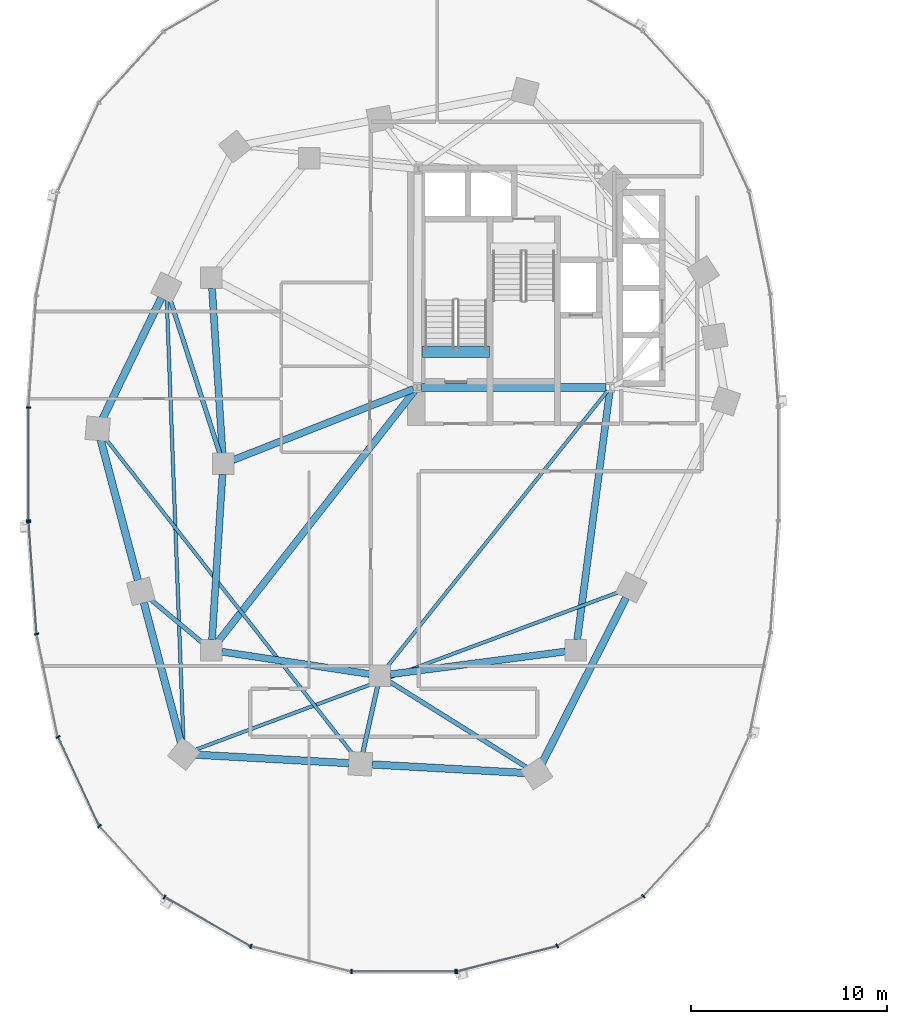
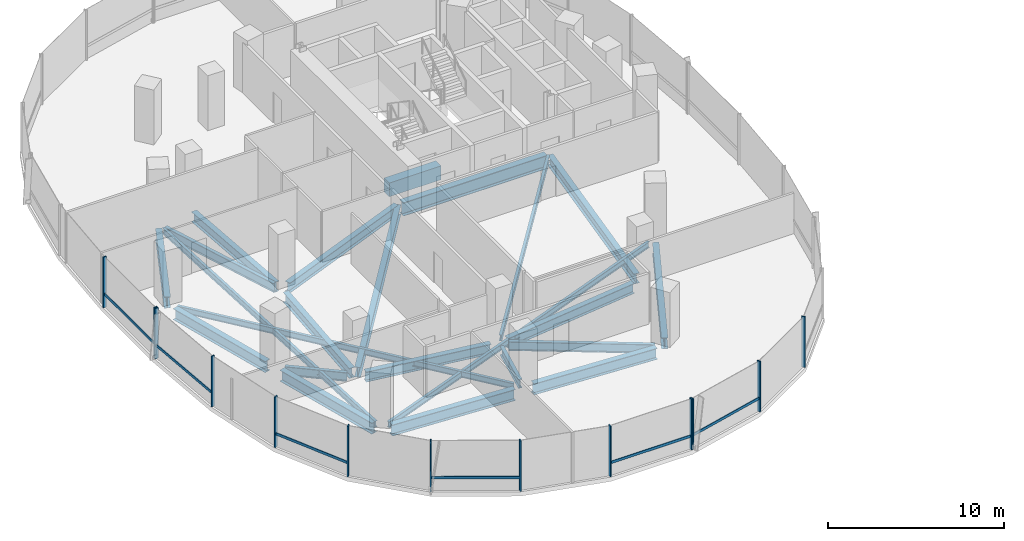
# One storey, part 2 of 21: 23 beams, 19 members, 3 elements without a shape of their own.
"""IFC4 building model written with IfcOpenShell, lengths in metres."""

import ifcopenshell
import ifcopenshell.guid

model = None  # the IFC model being written
_history = None  # IfcOwnerHistory: only IFC2X3 demands one
_inside = {}  # id of a spatial element -> (the spatial element, [elements in it])
_under = {}  # id of a project, library or spatial element -> (it, [spatial elements below it])
_declared = {}  # id of a project -> (the project, [libraries it declares])
_typed = {}  # id of a type object -> (the type object, [elements of that type])
_made_of = {}  # id of a material, layer set ... -> (it, [elements and type objects made of it])


def new_model(schema):
    """Start an empty IFC model of exactly this schema.

    Asked for "IFC4X3", IfcOpenShell would pick the latest addendum, in which some entities
    have other attributes; the version numbers below select the first issue.
    IFC2X3 requires an IfcOwnerHistory on every rooted entity: one is made here for all.
    """
    global model, _history
    if schema == "IFC4X3":
        model = ifcopenshell.file(schema_version=(4, 3, 0, 0))
    else:
        model = ifcopenshell.file(schema=schema)
    _inside.clear()
    _under.clear()
    _declared.clear()
    _typed.clear()
    _made_of.clear()
    _history = None
    if model.schema == "IFC2X3":
        org = make("IfcOrganization", Name="unknown")
        user = make(
            "IfcPersonAndOrganization",
            ThePerson=make("IfcPerson", FamilyName="unknown"),
            TheOrganization=org,
        )
        app = make(
            "IfcApplication",
            ApplicationDeveloper=org,
            Version="unknown",
            ApplicationFullName="unknown",
            ApplicationIdentifier="unknown",
        )
        _history = make(
            "IfcOwnerHistory",
            OwningUser=user,
            OwningApplication=app,
            ChangeAction="ADDED",
            CreationDate=0,
        )
    return model


def make(cls, **values):
    """One entity of the class cls with the attributes given. An attribute that is None is left unset."""
    return model.create_entity(
        cls, **{name: value for name, value in values.items() if value is not None}
    )


def rooted(cls, **values):
    """An entity with a GlobalId (a new one), such as an element, a storey or a relation."""
    return make(cls, GlobalId=ifcopenshell.guid.new(), OwnerHistory=_history, **values)


def si_unit(unit_type, name, prefix=None):
    """IfcSIUnit, for example si_unit("LENGTHUNIT", "METRE", prefix="MILLI")."""
    return make("IfcSIUnit", UnitType=unit_type, Prefix=prefix, Name=name)


def assignment(units):
    """IfcUnitAssignment: the units of a project."""
    return None if units is None else make("IfcUnitAssignment", Units=units)


def point(xyz):
    """IfcCartesianPoint."""
    return None if xyz is None else make("IfcCartesianPoint", Coordinates=xyz)


def direction(xyz):
    """IfcDirection."""
    return None if xyz is None else make("IfcDirection", DirectionRatios=xyz)


def frame(location, z_axis=None, x_axis=None):
    """IfcAxis2Placement3D, a coordinate frame: its origin and axes. An axis left out is left unset."""
    return make(
        "IfcAxis2Placement3D",
        Location=point(location),
        Axis=direction(z_axis),
        RefDirection=direction(x_axis),
    )


def frame_2d(location, x_axis=None):
    """IfcAxis2Placement2D, a coordinate frame in the plane: its origin and x axis."""
    return make(
        "IfcAxis2Placement2D", Location=point(location), RefDirection=direction(x_axis)
    )


def origin():
    """The frame at (0, 0, 0) with its axes left unset."""
    return frame((0.0, 0.0, 0.0))


def origin_2d():
    """The frame at (0, 0) in the plane with its x axis left unset."""
    return frame_2d((0.0, 0.0))


def place(relative_to, where):
    """IfcLocalPlacement: puts the frame where relative to a parent placement (None: the world)."""
    return make(
        "IfcLocalPlacement", PlacementRelTo=relative_to, RelativePlacement=where
    )


def context(
    kind, dimensions, precision=None, world=None, true_north=None, identifier=None
):
    """IfcGeometricRepresentationContext, for example the 3D "Model" context."""
    return make(
        "IfcGeometricRepresentationContext",
        ContextIdentifier=identifier,
        ContextType=kind,
        CoordinateSpaceDimension=dimensions,
        Precision=precision,
        WorldCoordinateSystem=world,
        TrueNorth=true_north,
    )


def subcontext(parent, identifier, kind, view, scale=None):
    """IfcGeometricRepresentationSubContext, for example "Body" below "Model"."""
    return make(
        "IfcGeometricRepresentationSubContext",
        ContextIdentifier=identifier,
        ContextType=kind,
        ParentContext=parent,
        TargetScale=scale,
        TargetView=view,
    )


def project(units=None, contexts=None):
    """IfcProject with its units and contexts."""
    return rooted(
        "IfcProject",
        Name="project",
        RepresentationContexts=contexts,
        UnitsInContext=assignment(units),
    )


def spatial(cls, under=None, at=None, **own):
    """A site, building, storey or space (cls), placed at a placement, below another one or the project."""
    s = rooted(cls, ObjectPlacement=at, **own)
    if under is not None:
        _under.setdefault(under.id(), (under, []))[1].append(s)
    return s


def profile(cls, at=None, kind="AREA", **sizes):
    """A parametric profile (cls). Its sizes go by their IFC names, for example OverallWidth=200.0."""
    return make(cls, ProfileType=kind, Position=at, **sizes)


def rectangle(**sizes):
    """IfcRectangleProfileDef."""
    return profile("IfcRectangleProfileDef", **sizes)


def i_section(**sizes):
    """IfcIShapeProfileDef."""
    return profile("IfcIShapeProfileDef", **sizes)


def extrude(swept, where, along, depth):
    """IfcExtrudedAreaSolid: the profile swept, set in the frame where, extruded along a direction by depth."""
    return make(
        "IfcExtrudedAreaSolid",
        SweptArea=swept,
        Position=where,
        ExtrudedDirection=direction(along),
        Depth=depth,
    )


def shape(context_of_items, identifier, shape_type, items):
    """IfcShapeRepresentation: the items that make up one representation, for example the "Body"."""
    return make(
        "IfcShapeRepresentation",
        ContextOfItems=context_of_items,
        RepresentationIdentifier=identifier,
        RepresentationType=shape_type,
        Items=items,
    )


def material(Name=None, Category=None):
    """IfcMaterial."""
    return make("IfcMaterial", Name=Name, Category=Category)


def material_profile(
    of_material, cross_section, Name=None, Category=None, Priority=None
):
    """IfcMaterialProfile: a cross section and its material."""
    return make(
        "IfcMaterialProfile",
        Name=Name,
        Material=of_material,
        Profile=cross_section,
        Priority=Priority,
        Category=Category,
    )


def profile_set(profiles, Name=None, composite=None):
    """IfcMaterialProfileSet."""
    return make(
        "IfcMaterialProfileSet",
        Name=Name,
        MaterialProfiles=profiles,
        CompositeProfile=composite,
    )


def made_of(thing, what):
    """Note that an element or type object is made of a material, layer set ...; save() writes the relation."""
    if what is not None:
        _made_of.setdefault(what.id(), (what, []))[1].append(thing)
    return thing


def type_object(cls, material=None, **own):
    """A type object (cls), such as IfcWallType, which elements share."""
    return made_of(rooted(cls, **own), material)


def element(
    cls,
    number,
    at=None,
    inside=None,
    cuts=None,
    type_object=None,
    material=None,
    context=None,
    identifier="Body",
    shape_type=None,
    held_by="IfcProductDefinitionShape",
    body=None,
    shapes=None,
    **own,
):
    """One element of the class cls, such as IfcWall. Its Tag is "e" and its number.

    at: its placement. inside: the storey or other place that contains it. cuts: it is an
    opening in that element (IfcRelVoidsElement). A single representation is given by context,
    identifier, shape_type and body (its items); several are given by shapes. held_by: the class
    of the entity that holds the representations. save() writes the other relations.
    """
    e = rooted(cls, Tag="e%d" % number, ObjectPlacement=at, **own)
    if body is not None:
        shapes = [shape(context, identifier, shape_type, body)]
    if shapes is not None:
        e.Representation = make(held_by, Representations=shapes)
    if inside is not None:
        _inside.setdefault(inside.id(), (inside, []))[1].append(e)
    if cuts is not None:
        rooted(
            "IfcRelVoidsElement", RelatingBuildingElement=cuts, RelatedOpeningElement=e
        )
    if type_object is not None:
        _typed.setdefault(type_object.id(), (type_object, []))[1].append(e)
    return made_of(e, material)


def aggregate(whole, parts):
    """IfcRelAggregates: a whole, such as a stair, and the parts it consists of."""
    return rooted("IfcRelAggregates", RelatingObject=whole, RelatedObjects=parts)


def save(model, path):
    """Write the relations noted so far, then the file.

    IfcRelAggregates (storeys below a building ...), IfcRelContainedInSpatialStructure (elements
    in a storey), IfcRelDefinesByType, IfcRelAssociatesMaterial and IfcRelDeclares: one each for
    every whole, place, type object, material and project.
    """
    for whole, parts in _under.values():
        aggregate(whole, parts)
    for where, things in _inside.values():
        rooted(
            "IfcRelContainedInSpatialStructure",
            RelatedElements=things,
            RelatingStructure=where,
        )
    for kind, things in _typed.values():
        rooted("IfcRelDefinesByType", RelatedObjects=things, RelatingType=kind)
    for what, things in _made_of.values():
        rooted("IfcRelAssociatesMaterial", RelatedObjects=things, RelatingMaterial=what)
    for by, libraries in _declared.values():
        rooted("IfcRelDeclares", RelatingContext=by, RelatedDefinitions=libraries)
    model.write(path)


model = new_model("IFC4")

# Units and contexts
model_context = context("Model", 3, precision=1e-05, world=origin(), true_north=direction((0.0, 1.0)))
body_context = subcontext(model_context, "Body", "Model", "MODEL_VIEW")
ifc_project = project(units=[si_unit("LENGTHUNIT", "METRE"), si_unit("AREAUNIT", "SQUARE_METRE"), si_unit("VOLUMEUNIT", "CUBIC_METRE"), si_unit("PLANEANGLEUNIT", "RADIAN"), si_unit("MASSUNIT", "GRAM", prefix="KILO"), si_unit("THERMODYNAMICTEMPERATUREUNIT", "KELVIN"), si_unit("POWERUNIT", "WATT")], contexts=[model_context])

# Site, building, storey
site_placement = place(None, origin())
site = spatial("IfcSite", under=ifc_project, at=site_placement, CompositionType="ELEMENT")
building_placement = place(site_placement, origin())
building = spatial("IfcBuilding", under=site, at=building_placement, Name="Cundina Bronze Exchange", CompositionType="ELEMENT")
storey_placement = place(building_placement, frame((0.0, 0.0, 54.39990234375)))
storey = spatial("IfcBuildingStorey", under=building, at=storey_placement, Name="L13", CompositionType="ELEMENT", Elevation=54.39990234375)

# Beams
ifc_material_1 = material(Name="Concrete C60/75", Category="concrete")
ifc_material_profile_1 = material_profile(ifc_material_1, rectangle(XDim=0.60009765625, YDim=0.949951171875, at=origin_2d()), Name="RC600X950", Category="concrete")
ifc_profile_set_1 = profile_set([ifc_material_profile_1], Name="Concrete C60/75")
beam_type_1 = type_object("IfcBeamType", Name="BM-COUP-RC950", PredefinedType="LINTEL", material=ifc_profile_set_1)
beam_1_placement = place(storey_placement, frame((-31.02001953125, 5.719970703125, -0.474853515625), z_axis=(1.0, 0.0, 0.0), x_axis=(0.0, 1.0, 0.0)))
element("IfcBeam", 1, at=beam_1_placement, inside=storey, type_object=beam_type_1, Name="L13 Stair W1 Landing Header Beam", PredefinedType="LINTEL", context=body_context, shape_type="SweptSolid", body=[
    extrude(rectangle(XDim=0.60009765625, YDim=0.949951171875, at=origin_2d()), origin(), (0.0, 0.0, 1.0), 3.39990234375),
])
ifc_material_2 = material(Name="Steel ASTM A992 Grade 50", Category="steel")
ifc_material_profile_2 = material_profile(ifc_material_2, i_section(OverallWidth=0.22998046875, OverallDepth=0.616943359375, WebThickness=0.01318359375, FlangeThickness=0.022216796875, FilletRadius=0.013916015625, at=origin_2d()), Name="W24X94", Category="steel")
ifc_profile_set_2 = profile_set([ifc_material_profile_2], Name="Steel ASTM A992 Grade 50")
beam_type_2 = type_object("IfcBeamType", Name="BM-FLR-W24B", PredefinedType="BEAM", material=ifc_profile_set_2)
beam_2_placement = place(storey_placement, frame((-41.364990234375, 0.51220703125, -0.6083984375), z_axis=(-0.306706454167, 0.951804155787, 0.0), x_axis=(-0.951804155787, -0.306706454167, 0.0)))
element("IfcBeam", 2, at=beam_2_placement, inside=storey, type_object=beam_type_2, Name="L13 Leg W Radial Floor Beam 07", PredefinedType="BEAM", context=body_context, shape_type="SweptSolid", body=[
    extrude(i_section(OverallWidth=0.22998046875, OverallDepth=0.616943359375, WebThickness=0.01318359375, FlangeThickness=0.022216796875, FilletRadius=0.013916015625, at=origin_2d()), origin(), (0.0, 0.0, 1.0), 8.329345703125),
])
beam_3_placement = place(storey_placement, frame((-42.21337890625, -9.155517578125, -0.6083984375), z_axis=(-0.768221279597, 0.640184399664, 0.0), x_axis=(-0.640184399664, -0.768221279597, 0.0)))
element("IfcBeam", 3, at=beam_3_placement, inside=storey, type_object=beam_type_2, Name="L13 Leg W Radial Floor Beam 09", PredefinedType="BEAM", context=body_context, shape_type="SweptSolid", body=[
    extrude(i_section(OverallWidth=0.22998046875, OverallDepth=0.616943359375, WebThickness=0.01318359375, FlangeThickness=0.022216796875, FilletRadius=0.013916015625, at=origin_2d()), origin(), (0.0, 0.0, 1.0), 3.56005859375),
])
beam_4_placement = place(storey_placement, frame((-33.316650390625, -11.3251953125, -0.6083984375), z_axis=(-0.216960137628, -0.976180464197, 0.0), x_axis=(0.976180464197, -0.216960137628, 0.0)))
element("IfcBeam", 4, at=beam_4_placement, inside=storey, type_object=beam_type_2, Name="L13 Leg W Radial Floor Beam 11", PredefinedType="BEAM", context=body_context, shape_type="SweptSolid", body=[
    extrude(i_section(OverallWidth=0.22998046875, OverallDepth=0.616943359375, WebThickness=0.01318359375, FlangeThickness=0.022216796875, FilletRadius=0.013916015625, at=origin_2d()), origin(), (0.0, 0.0, 1.0), 3.48388671875),
])
beam_5_placement = place(storey_placement, frame((-32.743896484375, -11.085205078125, -0.6083984375), z_axis=(0.848014812458, -0.529972525563, 0.0), x_axis=(0.529972525563, 0.848014812458, 0.0)))
element("IfcBeam", 5, at=beam_5_placement, inside=storey, type_object=beam_type_2, Name="L13 Leg W Radial Floor Beam 12", PredefinedType="BEAM", context=body_context, shape_type="SweptSolid", body=[
    extrude(i_section(OverallWidth=0.22998046875, OverallDepth=0.616943359375, WebThickness=0.01318359375, FlangeThickness=0.022216796875, FilletRadius=0.013916015625, at=origin_2d()), origin(), (0.0, 0.0, 1.0), 8.30810546875),
])
ifc_material_profile_3 = material_profile(ifc_material_2, i_section(OverallWidth=0.178955078125, OverallDepth=0.409912109375, WebThickness=0.0087890625, FlangeThickness=0.014404296875, FilletRadius=0.010986328125, at=origin_2d()), Name="W16X45", Category="steel")
ifc_profile_set_3 = profile_set([ifc_material_profile_3], Name="Steel ASTM A992 Grade 50")
beam_type_3 = type_object("IfcBeamType", Name="BM-JST-W16", PredefinedType="JOIST", material=ifc_profile_set_3)
beam_6_placement = place(storey_placement, frame((-21.577392578125, 3.740478515625, -0.5048828125), z_axis=(-0.62436887964, -0.781129632095, 0.0), x_axis=(0.781129632095, -0.62436887964, 0.0)))
element("IfcBeam", 6, at=beam_6_placement, inside=storey, type_object=beam_type_3, Name="L13 W Interior Core-to-Ring Joist 2", PredefinedType="JOIST", context=body_context, shape_type="SweptSolid", body=[
    extrude(i_section(OverallWidth=0.178955078125, OverallDepth=0.409912109375, WebThickness=0.0087890625, FlangeThickness=0.014404296875, FilletRadius=0.010986328125, at=origin_2d()), origin(), (0.0, 0.0, 1.0), 18.076904296875),
])
beam_7_placement = place(storey_placement, frame((-44.077880859375, 8.412353515625, -0.5048828125), z_axis=(0.037794949147, -0.999285515666, 0.0), x_axis=(0.999285515666, 0.037794949147, 0.0)))
element("IfcBeam", 7, at=beam_7_placement, inside=storey, type_object=beam_type_3, Name="L13 Leg W Lobe Floor Joist 07-10", PredefinedType="JOIST", context=body_context, shape_type="SweptSolid", body=[
    extrude(i_section(OverallWidth=0.178955078125, OverallDepth=0.409912109375, WebThickness=0.0087890625, FlangeThickness=0.014404296875, FilletRadius=0.010986328125, at=origin_2d()), origin(), (0.0, 0.0, 1.0), 22.640869140625),
])
beam_8_placement = place(storey_placement, frame((-47.2373046875, 1.337158203125, -0.5048828125), z_axis=(0.616803089524, -0.787117493614, 0.0), x_axis=(0.787117493614, 0.616803089524, 0.0)))
element("IfcBeam", 8, at=beam_8_placement, inside=storey, type_object=beam_type_3, Name="L13 Leg W Lobe Floor Joist 08-11", PredefinedType="JOIST", context=body_context, shape_type="SweptSolid", body=[
    extrude(i_section(OverallWidth=0.178955078125, OverallDepth=0.409912109375, WebThickness=0.0087890625, FlangeThickness=0.014404296875, FilletRadius=0.010986328125, at=origin_2d()), origin(), (0.0, 0.0, 1.0), 20.548828125),
])
beam_9_placement = place(storey_placement, frame((-42.64892578125, -14.5947265625, -0.5048828125), z_axis=(0.937127912449, 0.348986068074, 0.0), x_axis=(-0.348986068074, 0.937127912449, 0.0)))
element("IfcBeam", 9, at=beam_9_placement, inside=storey, type_object=beam_type_3, Name="L13 Leg W Lobe Floor Joist 10-13", PredefinedType="JOIST", context=body_context, shape_type="SweptSolid", body=[
    extrude(i_section(OverallWidth=0.178955078125, OverallDepth=0.409912109375, WebThickness=0.0087890625, FlangeThickness=0.014404296875, FilletRadius=0.010986328125, at=origin_2d()), origin(), (0.0, 0.0, 1.0), 23.18017578125),
])
ifc_material_profile_4 = material_profile(ifc_material_2, i_section(OverallWidth=0.35498046875, OverallDepth=0.695068359375, WebThickness=0.015380859375, FlangeThickness=0.02490234375, FilletRadius=0.01806640625, at=origin_2d()), Name="W27X146", Category="steel")
ifc_profile_set_4 = profile_set([ifc_material_profile_4], Name="Steel ASTM A992 Grade 50")
beam_type_4 = type_object("IfcBeamType", Name="BM-RING-W27", PredefinedType="USERDEFINED", material=ifc_profile_set_4)
for number, where, z_axis, x_axis, name in (
    (10, (-41.76611328125, 8.963134765625, -0.6474609375), (0.06303715519, -0.998011180832, 0.0), (0.998011180832, 0.06303715519, 0.0), "L13 W Inner Structural Ring Girder 03"),
    (11, (-41.23388671875, -0.536865234375, -0.6474609375), (-0.06303715519, -0.998011180832, 0.0), (0.998011180832, -0.06303715519, 0.0), "L13 W Inner Structural Ring Girder 04"),
):
    element("IfcBeam", number, at=place(storey_placement, frame(where, z_axis=z_axis, x_axis=x_axis)), inside=storey, type_object=beam_type_4, Name=name, ObjectType="GIRDER", PredefinedType="USERDEFINED", context=body_context, shape_type="SweptSolid", body=[
        extrude(i_section(OverallWidth=0.35498046875, OverallDepth=0.695068359375, WebThickness=0.015380859375, FlangeThickness=0.02490234375, FilletRadius=0.01806640625, at=origin_2d()), origin(), (0.0, 0.0, 1.0), 8.443115234375),
    ])
beam_10_placement = place(storey_placement, frame((-41.26806640625, -9.580322265625, -0.6474609375), z_axis=(0.988767489563, -0.149461873341, 0.0), x_axis=(0.149461873341, 0.988767489563, 0.0)))
element("IfcBeam", 12, at=beam_10_placement, inside=storey, type_object=beam_type_4, Name="L13 W Inner Structural Ring Girder 05", ObjectType="GIRDER", PredefinedType="USERDEFINED", context=body_context, shape_type="SweptSolid", body=[
    extrude(i_section(OverallWidth=0.35498046875, OverallDepth=0.695068359375, WebThickness=0.015380859375, FlangeThickness=0.02490234375, FilletRadius=0.01806640625, at=origin_2d()), origin(), (0.0, 0.0, 1.0), 7.621826171875),
])
beam_11_placement = place(storey_placement, frame((-32.66650390625, -10.730712890625, -0.6474609375), z_axis=(0.991654577907, 0.128923225666, 0.0), x_axis=(-0.128923225666, 0.991654577907, 0.0)))
element("IfcBeam", 13, at=beam_11_placement, inside=storey, type_object=beam_type_4, Name="L13 W Inner Structural Ring Girder 06", ObjectType="GIRDER", PredefinedType="USERDEFINED", context=body_context, shape_type="SweptSolid", body=[
    extrude(i_section(OverallWidth=0.35498046875, OverallDepth=0.695068359375, WebThickness=0.015380859375, FlangeThickness=0.02490234375, FilletRadius=0.01806640625, at=origin_2d()), origin(), (0.0, 0.0, 1.0), 9.00830078125),
])
beam_12_placement = place(storey_placement, frame((-23.13037109375, -8.966552734375, -0.6474609375), z_axis=(0.129507526533, 0.99157843894, 0.0), x_axis=(-0.99157843894, 0.129507526533, 0.0)))
element("IfcBeam", 14, at=beam_12_placement, inside=storey, type_object=beam_type_4, Name="L13 W Inner Structural Ring Girder 07", ObjectType="GIRDER", PredefinedType="USERDEFINED", context=body_context, shape_type="SweptSolid", body=[
    extrude(i_section(OverallWidth=0.35498046875, OverallDepth=0.695068359375, WebThickness=0.015380859375, FlangeThickness=0.02490234375, FilletRadius=0.01806640625, at=origin_2d()), origin(), (0.0, 0.0, 1.0), 12.77197265625),
])
beam_13_placement = place(storey_placement, frame((-31.48974609375, 3.8251953125, -0.6474609375), z_axis=(-0.930413235418, -0.366512225388, 0.0), x_axis=(0.366512225388, -0.930413235418, 0.0)))
element("IfcBeam", 15, at=beam_13_placement, inside=storey, type_object=beam_type_4, Name="L13 W Core-to-Waist Tie Beam 1", ObjectType="GIRDER", PredefinedType="USERDEFINED", context=body_context, shape_type="SweptSolid", body=[
    extrude(i_section(OverallWidth=0.35498046875, OverallDepth=0.695068359375, WebThickness=0.015380859375, FlangeThickness=0.02490234375, FilletRadius=0.01806640625, at=origin_2d()), origin(), (0.0, 0.0, 1.0), 9.8984375),
])
beam_14_placement = place(storey_placement, frame((-31.42578125, 3.739501953125, -0.6474609375), z_axis=(-0.616789275748, -0.787128318206, 0.0), x_axis=(0.787128318206, -0.616789275748, 0.0)))
element("IfcBeam", 16, at=beam_14_placement, inside=storey, type_object=beam_type_4, Name="L13 W Core-to-Waist Tie Beam 3", ObjectType="GIRDER", PredefinedType="USERDEFINED", context=body_context, shape_type="SweptSolid", body=[
    extrude(i_section(OverallWidth=0.35498046875, OverallDepth=0.695068359375, WebThickness=0.015380859375, FlangeThickness=0.02490234375, FilletRadius=0.01806640625, at=origin_2d()), origin(), (0.0, 0.0, 1.0), 16.281982421875),
])
ifc_material_profile_5 = material_profile(ifc_material_2, i_section(OverallWidth=0.381103515625, OverallDepth=0.77294921875, WebThickness=0.0166015625, FlangeThickness=0.027099609375, FilletRadius=0.01904296875, at=origin_2d()), Name="W30X173", Category="steel")
ifc_profile_set_5 = profile_set([ifc_material_profile_5], Name="Steel ASTM A992 Grade 50")
beam_type_5 = type_object("IfcBeamType", Name="BM-RING-W30", PredefinedType="USERDEFINED", material=ifc_profile_set_5)
beam_15_placement = place(storey_placement, frame((-44.357177734375, 8.47119140625, -0.6865234375), z_axis=(-0.437190698904, -0.899368830231, 0.0), x_axis=(0.899368830231, -0.437190698904, 0.0)))
element("IfcBeam", 17, at=beam_15_placement, inside=storey, type_object=beam_type_5, Name="L13 W Perimeter Ring Girder 07", ObjectType="GIRDER", PredefinedType="USERDEFINED", context=body_context, shape_type="SweptSolid", body=[
    extrude(i_section(OverallWidth=0.381103515625, OverallDepth=0.77294921875, WebThickness=0.0166015625, FlangeThickness=0.027099609375, FilletRadius=0.01904296875, at=origin_2d()), origin(), (0.0, 0.0, 1.0), 6.82958984375),
])
for number, where, z_axis, x_axis, name in (
    (18, (-47.44921875, 1.231689453125, -0.6865234375), (0.256177785604, -0.966629682021, 0.0), (0.966629682021, 0.256177785604, 0.0), "L13 W Perimeter Ring Girder 08"),
    (19, (-45.249267578125, -7.068359375, -0.6865234375), (0.256208567826, -0.966621523541, 0.0), (0.966621523541, 0.256208567826, 0.0), "L13 W Perimeter Ring Girder 09"),
):
    element("IfcBeam", number, at=place(storey_placement, frame(where, z_axis=z_axis, x_axis=x_axis)), inside=storey, type_object=beam_type_5, Name=name, ObjectType="GIRDER", PredefinedType="USERDEFINED", context=body_context, shape_type="SweptSolid", body=[
        extrude(i_section(OverallWidth=0.381103515625, OverallDepth=0.77294921875, WebThickness=0.0166015625, FlangeThickness=0.027099609375, FilletRadius=0.01904296875, at=origin_2d()), origin(), (0.0, 0.0, 1.0), 7.41064453125),
    ])
for number, where, z_axis, x_axis, name in (
    (20, (-42.61279296875, -14.83251953125, -0.6865234375), (0.998459969805, -0.055476920391, 0.0), (0.055476920391, 0.998459969805, 0.0), "L13 W Perimeter Ring Girder 10"),
    (21, (-33.61279296875, -15.33251953125, -0.6865234375), (0.998459969805, -0.055476920391, 0.0), (0.055476920391, 0.998459969805, 0.0), "L13 W Perimeter Ring Girder 11"),
):
    element("IfcBeam", number, at=place(storey_placement, frame(where, z_axis=z_axis, x_axis=x_axis)), inside=storey, type_object=beam_type_5, Name=name, ObjectType="GIRDER", PredefinedType="USERDEFINED", context=body_context, shape_type="SweptSolid", body=[
        extrude(i_section(OverallWidth=0.381103515625, OverallDepth=0.77294921875, WebThickness=0.0166015625, FlangeThickness=0.027099609375, FilletRadius=0.01904296875, at=origin_2d()), origin(), (0.0, 0.0, 1.0), 7.837646484375),
    ])
beam_16_placement = place(storey_placement, frame((-24.93359375, -15.275634765625, -0.6865234375), z_axis=(0.452819633606, 0.891602141889, 0.0), x_axis=(-0.891602141889, 0.452819633606, 0.0)))
element("IfcBeam", 22, at=beam_16_placement, inside=storey, type_object=beam_type_5, Name="L13 W Perimeter Ring Girder 12", ObjectType="GIRDER", PredefinedType="USERDEFINED", context=body_context, shape_type="SweptSolid", body=[
    extrude(i_section(OverallWidth=0.381103515625, OverallDepth=0.77294921875, WebThickness=0.0166015625, FlangeThickness=0.027099609375, FilletRadius=0.01904296875, at=origin_2d()), origin(), (0.0, 0.0, 1.0), 9.47900390625),
])
ifc_material_profile_6 = material_profile(ifc_material_2, i_section(OverallWidth=0.41796875, OverallDepth=0.927001953125, WebThickness=0.019287109375, FlangeThickness=0.031982421875, FilletRadius=0.02392578125, at=origin_2d()), Name="W36X231", Category="steel")
ifc_profile_set_6 = profile_set([ifc_material_profile_6], Name="Steel ASTM A992 Grade 50")
beam_type_6 = type_object("IfcBeamType", Name="BM-WRN-W36B", PredefinedType="USERDEFINED", material=ifc_profile_set_6)
beam_17_placement = place(storey_placement, frame((-31.095947265625, 3.89990234375, -0.763427734375), z_axis=(1.0, 0.0, 0.0), x_axis=(0.0, 1.0, 0.0)))
element("IfcBeam", 23, at=beam_17_placement, inside=storey, type_object=beam_type_6, Name="L13 W Core Perimeter Tie Girder 1", ObjectType="GIRDER", PredefinedType="USERDEFINED", context=body_context, shape_type="SweptSolid", body=[
    extrude(i_section(OverallWidth=0.41796875, OverallDepth=0.927001953125, WebThickness=0.019287109375, FlangeThickness=0.031982421875, FilletRadius=0.02392578125, at=origin_2d()), origin(), (0.0, 0.0, 1.0), 9.44189453125),
])

# Curtain wall, members
ifc_material_3 = material(Name="Anodised Bronze Aluminium 6063-T6", Category="aluminium")
curtain_wall_type = type_object("IfcCurtainWallType", Name="CWS-TRD-LOW", PredefinedType="NOTDEFINED", material=ifc_material_3)
curtain_wall_1_placement = place(storey_placement, origin())
curtain_wall_1 = element("IfcCurtainWall", 24, at=curtain_wall_1_placement, inside=storey, type_object=curtain_wall_type, Name="L13 CW-02 Curtain Wall Run CWR-L13-W2", PredefinedType="NOTDEFINED")
ifc_material_profile_7 = material_profile(ifc_material_3, rectangle(XDim=0.074951171875, YDim=0.219970703125, at=origin_2d()), Name="AL75X220", Category="aluminium")
ifc_profile_set_7 = profile_set([ifc_material_profile_7], Name="Anodised Bronze Aluminium 6063-T6")
member_type_1 = type_object("IfcMemberType", Name="CWM-MUL-220", PredefinedType="MULLION", material=ifc_profile_set_7)
member_1_placement = place(storey_placement, frame((-51.1279296875, 2.880615234375, 0.0), z_axis=(0.0, 0.0, 1.0), x_axis=(0.0, -1.0, 0.0)))
member_1 = element("IfcMember", 25, at=member_1_placement, type_object=member_type_1, Name="CW-02 Mullion 7", PredefinedType="MULLION", context=body_context, shape_type="SweptSolid", body=[
    extrude(rectangle(XDim=0.074951171875, YDim=0.219970703125, at=origin_2d()), origin(), (0.0, 0.0, 1.0), 3.5),
])
member_2_placement = place(storey_placement, frame((-51.1279296875, -2.880615234375, 0.0), z_axis=(0.0, 0.0, 1.0), x_axis=(0.0, -1.0, 0.0)))
member_2 = element("IfcMember", 26, at=member_2_placement, type_object=member_type_1, Name="CW-02 End Mullion", PredefinedType="MULLION", context=body_context, shape_type="SweptSolid", body=[
    extrude(rectangle(XDim=0.074951171875, YDim=0.219970703125, at=origin_2d()), origin(), (0.0, 0.0, 1.0), 3.5),
])

curtain_wall_2_placement = place(storey_placement, origin())
curtain_wall_2 = element("IfcCurtainWall", 27, at=curtain_wall_2_placement, inside=storey, type_object=curtain_wall_type, Name="L13 CW-02 Curtain Wall Run CWR-L13-W3", PredefinedType="NOTDEFINED")
member_3_placement = place(storey_placement, frame((-51.12451171875, -2.976318359375, 0.0), z_axis=(0.0, 0.0, 1.0), x_axis=(0.070278787473, -0.997527389113, 0.0)))
member_3 = element("IfcMember", 28, at=member_3_placement, type_object=member_type_1, Name="CW-02 Mullion 1", PredefinedType="MULLION", context=body_context, shape_type="SweptSolid", body=[
    extrude(rectangle(XDim=0.074951171875, YDim=0.219970703125, at=origin_2d()), origin(), (0.0, 0.0, 1.0), 3.5),
])
member_4_placement = place(storey_placement, frame((-50.717041015625, -8.67822265625, 0.0), z_axis=(0.0, 0.0, 1.0), x_axis=(0.201419845156, -0.979505000486, 0.0)))
member_4 = element("IfcMember", 29, at=member_4_placement, type_object=member_type_1, Name="CW-02 Mullion 2", PredefinedType="MULLION", context=body_context, shape_type="SweptSolid", body=[
    extrude(rectangle(XDim=0.074951171875, YDim=0.219970703125, at=origin_2d()), origin(), (0.0, 0.0, 1.0), 3.5),
])
member_5_placement = place(storey_placement, frame((-49.6279296875, -13.931884765625, 0.0), z_axis=(0.0, 0.0, 1.0), x_axis=(0.42087749791, -0.907117485088, 0.0)))
member_5 = element("IfcMember", 30, at=member_5_placement, type_object=member_type_1, Name="CW-02 Mullion 3", PredefinedType="MULLION", context=body_context, shape_type="SweptSolid", body=[
    extrude(rectangle(XDim=0.074951171875, YDim=0.219970703125, at=origin_2d()), origin(), (0.0, 0.0, 1.0), 3.5),
])
member_6_placement = place(storey_placement, frame((-47.508544921875, -18.47705078125, 0.0), z_axis=(0.0, 0.0, 1.0), x_axis=(0.674302387584, -0.738455340626, 0.0)))
member_6 = element("IfcMember", 31, at=member_6_placement, type_object=member_type_1, Name="CW-02 Mullion 4", PredefinedType="MULLION", context=body_context, shape_type="SweptSolid", body=[
    extrude(rectangle(XDim=0.074951171875, YDim=0.219970703125, at=origin_2d()), origin(), (0.0, 0.0, 1.0), 3.5),
])
member_7_placement = place(storey_placement, frame((-44.189697265625, -22.097412109375, 0.0), z_axis=(0.0, 0.0, 1.0), x_axis=(0.867070701164, -0.498185105339, 0.0)))
member_7 = element("IfcMember", 32, at=member_7_placement, type_object=member_type_1, Name="CW-02 Mullion 5", PredefinedType="MULLION", context=body_context, shape_type="SweptSolid", body=[
    extrude(rectangle(XDim=0.074951171875, YDim=0.219970703125, at=origin_2d()), origin(), (0.0, 0.0, 1.0), 3.5),
])
member_8_placement = place(storey_placement, frame((-39.78515625, -24.61669921875, 0.0), z_axis=(0.0, 0.0, 1.0), x_axis=(0.969488149345, -0.245138182011, 0.0)))
member_8 = element("IfcMember", 33, at=member_8_placement, type_object=member_type_1, Name="CW-02 Mullion 6", PredefinedType="MULLION", context=body_context, shape_type="SweptSolid", body=[
    extrude(rectangle(XDim=0.074951171875, YDim=0.219970703125, at=origin_2d()), origin(), (0.0, 0.0, 1.0), 3.5),
])
member_9_placement = place(storey_placement, frame((-34.654541015625, -25.905029296875, 0.0), z_axis=(0.0, 0.0, 1.0), x_axis=(1.0, 0.0, 0.0)))
member_9 = element("IfcMember", 34, at=member_9_placement, type_object=member_type_1, Name="CW-02 Mullion 7", PredefinedType="MULLION", context=body_context, shape_type="SweptSolid", body=[
    extrude(rectangle(XDim=0.074951171875, YDim=0.219970703125, at=origin_2d()), origin(), (0.0, 0.0, 1.0), 3.5),
])
member_10_placement = place(storey_placement, frame((-29.345458984375, -25.905029296875, 0.0), z_axis=(0.0, 0.0, 1.0), x_axis=(1.0, 0.0, 0.0)))
member_10 = element("IfcMember", 35, at=member_10_placement, type_object=member_type_1, Name="CW-02 End Mullion", PredefinedType="MULLION", context=body_context, shape_type="SweptSolid", body=[
    extrude(rectangle(XDim=0.074951171875, YDim=0.219970703125, at=origin_2d()), origin(), (0.0, 0.0, 1.0), 3.5),
])

curtain_wall_3_placement = place(storey_placement, origin())
curtain_wall_3 = element("IfcCurtainWall", 36, at=curtain_wall_3_placement, inside=storey, type_object=curtain_wall_type, Name="L13 CW-02 Curtain Wall Run CWR-L13-W4", PredefinedType="NOTDEFINED")
member_11_placement = place(storey_placement, frame((-29.27392578125, -25.89599609375, 0.0), z_axis=(0.0, 0.0, 1.0), x_axis=(0.969488149345, 0.245138182011, 0.0)))
member_11 = element("IfcMember", 37, at=member_11_placement, type_object=member_type_1, Name="CW-02 Mullion 1", PredefinedType="MULLION", context=body_context, shape_type="SweptSolid", body=[
    extrude(rectangle(XDim=0.074951171875, YDim=0.219970703125, at=origin_2d()), origin(), (0.0, 0.0, 1.0), 3.5),
])
member_12_placement = place(storey_placement, frame((-24.151123046875, -24.591064453125, 0.0), z_axis=(0.0, 0.0, 1.0), x_axis=(0.867070701164, 0.498185105339, 0.0)))
member_12 = element("IfcMember", 38, at=member_12_placement, type_object=member_type_1, Name="CW-02 Mullion 2", PredefinedType="MULLION", context=body_context, shape_type="SweptSolid", body=[
    extrude(rectangle(XDim=0.074951171875, YDim=0.219970703125, at=origin_2d()), origin(), (0.0, 0.0, 1.0), 3.5),
])
member_13_placement = place(storey_placement, frame((-19.760498046875, -22.0576171875, 0.0), z_axis=(0.0, 0.0, 1.0), x_axis=(0.674302387584, 0.738455340626, 0.0)))
member_13 = element("IfcMember", 39, at=member_13_placement, type_object=member_type_1, Name="CW-02 Mullion 3", PredefinedType="MULLION", context=body_context, shape_type="SweptSolid", body=[
    extrude(rectangle(XDim=0.074951171875, YDim=0.219970703125, at=origin_2d()), origin(), (0.0, 0.0, 1.0), 3.5),
])

# Member
ifc_material_profile_8 = material_profile(ifc_material_3, rectangle(XDim=0.070068359375, YDim=0.179931640625, at=origin_2d()), Name="AL70X180", Category="aluminium")
ifc_profile_set_8 = profile_set([ifc_material_profile_8], Name="Anodised Bronze Aluminium 6063-T6")
member_type_2 = type_object("IfcMemberType", Name="CWM-TRN-180", PredefinedType="USERDEFINED", material=ifc_profile_set_8)
member_14_placement = place(storey_placement, frame((-51.1279296875, 2.839111328125, 0.920166015625), z_axis=(0.0, -1.0, 0.0), x_axis=(1.0, 0.0, 0.0)))
member_14 = element("IfcMember", 40, at=member_14_placement, type_object=member_type_2, Name="CW-02 Spandrel Transom 7", ObjectType="TRANSOM", PredefinedType="USERDEFINED", context=body_context, shape_type="SweptSolid", body=[
    extrude(rectangle(XDim=0.070068359375, YDim=0.179931640625, at=origin_2d()), origin(), (0.0, 0.0, 1.0), 5.67822265625),
])

aggregate(curtain_wall_1, [member_1, member_2, member_14])

member_15_placement = place(storey_placement, frame((-51.12158203125, -3.017333984375, 0.920166015625), z_axis=(0.070260714471, -0.997528662246, 0.0), x_axis=(0.997528662246, 0.070260714471, 0.0)))
member_15 = element("IfcMember", 41, at=member_15_placement, type_object=member_type_2, Name="CW-02 Spandrel Transom 1", ObjectType="TRANSOM", PredefinedType="USERDEFINED", context=body_context, shape_type="SweptSolid", body=[
    extrude(rectangle(XDim=0.070068359375, YDim=0.179931640625, at=origin_2d()), origin(), (0.0, 0.0, 1.0), 5.629150390625),
])

member_16_placement = place(storey_placement, frame((-49.610595703125, -13.96923828125, 0.920166015625), z_axis=(0.420811422796, -0.907148139195, 0.0), x_axis=(0.907148139195, 0.420811422796, 0.0)))
member_16 = element("IfcMember", 42, at=member_16_placement, type_object=member_type_2, Name="CW-02 Spandrel Transom 3", ObjectType="TRANSOM", PredefinedType="USERDEFINED", context=body_context, shape_type="SweptSolid", body=[
    extrude(rectangle(XDim=0.070068359375, YDim=0.179931640625, at=origin_2d()), origin(), (0.0, 0.0, 1.0), 4.95166015625),
])

member_17_placement = place(storey_placement, frame((-44.154052734375, -22.117919921875, 0.920166015625), z_axis=(0.867097475651, -0.498138502546, 0.0), x_axis=(0.498138502546, 0.867097475651, 0.0)))
member_17 = element("IfcMember", 43, at=member_17_placement, type_object=member_type_2, Name="CW-02 Spandrel Transom 5", ObjectType="TRANSOM", PredefinedType="USERDEFINED", context=body_context, shape_type="SweptSolid", body=[
    extrude(rectangle(XDim=0.070068359375, YDim=0.179931640625, at=origin_2d()), origin(), (0.0, 0.0, 1.0), 5.00634765625),
])

member_18_placement = place(storey_placement, frame((-34.61328125, -25.905029296875, 0.920166015625), z_axis=(1.0, 0.0, 0.0), x_axis=(0.0, 1.0, 0.0)))
member_18 = element("IfcMember", 44, at=member_18_placement, type_object=member_type_2, Name="CW-02 Spandrel Transom 7", ObjectType="TRANSOM", PredefinedType="USERDEFINED", context=body_context, shape_type="SweptSolid", body=[
    extrude(rectangle(XDim=0.070068359375, YDim=0.179931640625, at=origin_2d()), origin(), (0.0, 0.0, 1.0), 5.2265625),
])

aggregate(curtain_wall_2, [member_3, member_15, member_4, member_5, member_16, member_6, member_7, member_17, member_8, member_9, member_10, member_18])

member_19_placement = place(storey_placement, frame((-29.23388671875, -25.885986328125, 0.920166015625), z_axis=(0.969483968866, 0.245154714644, 0.0), x_axis=(-0.245154714644, 0.969483968866, 0.0)))
member_19 = element("IfcMember", 45, at=member_19_placement, type_object=member_type_2, Name="CW-02 Spandrel Transom 1", ObjectType="TRANSOM", PredefinedType="USERDEFINED", context=body_context, shape_type="SweptSolid", body=[
    extrude(rectangle(XDim=0.070068359375, YDim=0.179931640625, at=origin_2d()), origin(), (0.0, 0.0, 1.0), 5.21826171875),
])

aggregate(curtain_wall_3, [member_11, member_19, member_12, member_13])

save(model, "model.ifc")
